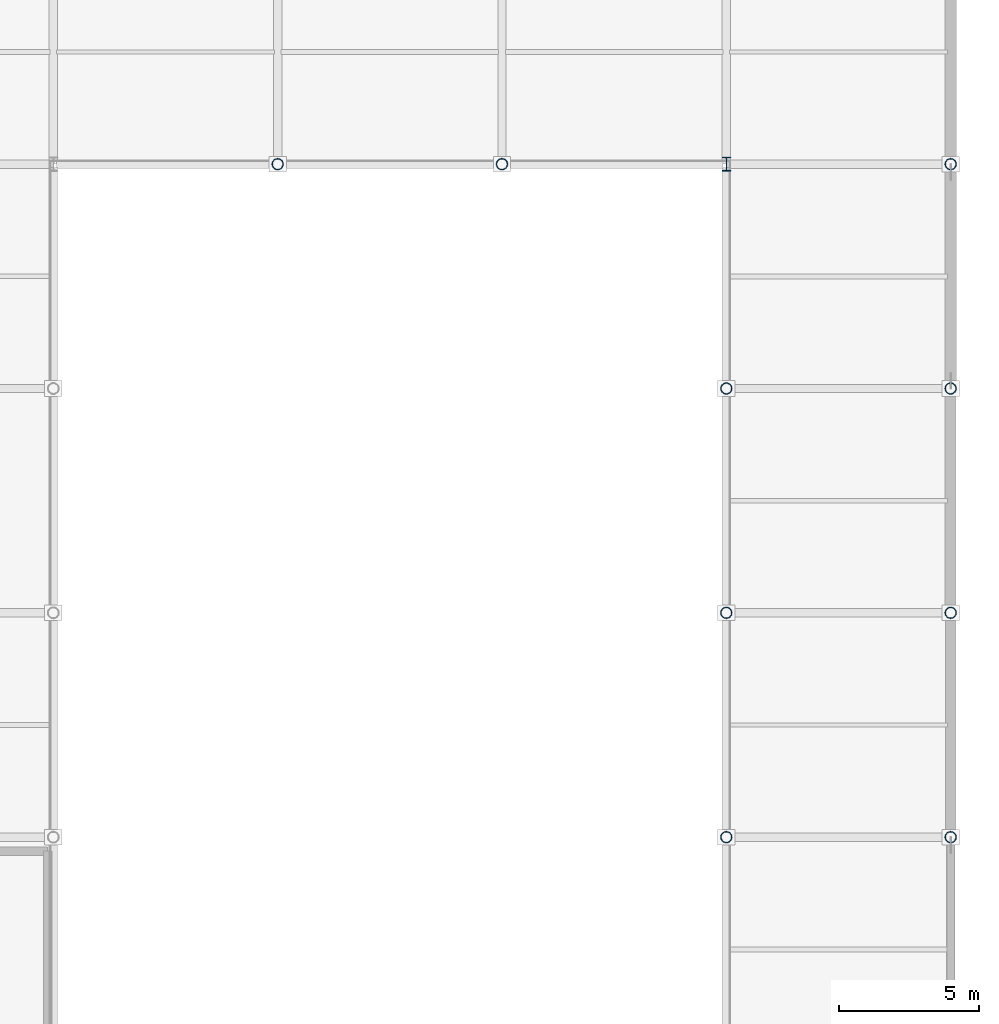
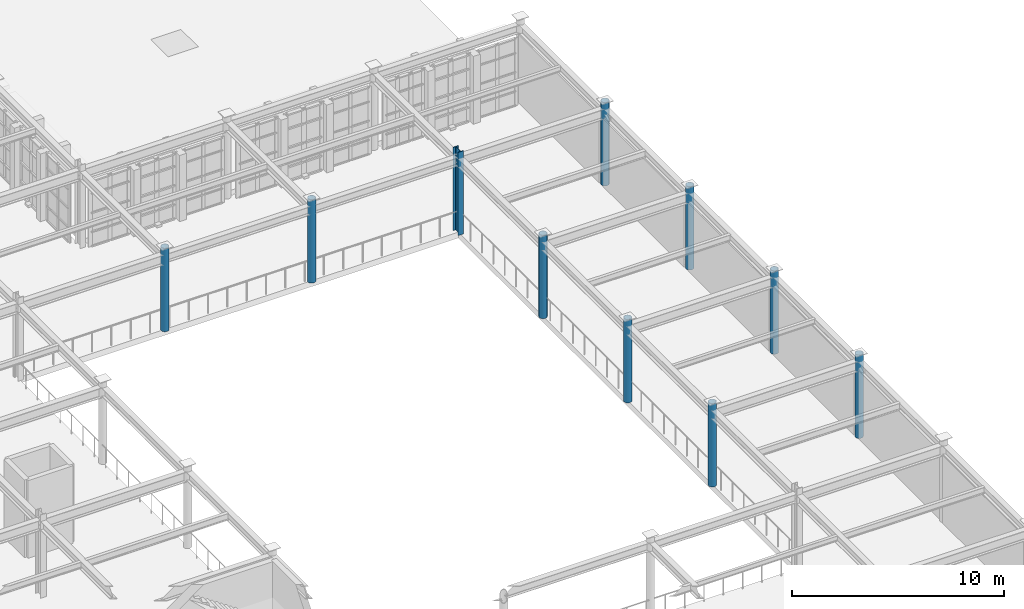
# One storey, part 5 of 155: 10 columns.
"""IFC4 building model written with IfcOpenShell, lengths in metres."""

from ifc_helpers import new_model, si_unit, direction, frame, origin, origin_2d, place, context, subcontext, project, spatial, hollow_circle, i_section, extrude, material, material_profile, profile_set, type_object, element, save


model = new_model("IFC4")

# Units and contexts
model_context = context("Model", 3, precision=1e-05, world=origin(), true_north=direction((0.0, 1.0)))
body_context = subcontext(model_context, "Body", "Model", "MODEL_VIEW")
ifc_project = project(units=[si_unit("LENGTHUNIT", "METRE"), si_unit("AREAUNIT", "SQUARE_METRE"), si_unit("VOLUMEUNIT", "CUBIC_METRE"), si_unit("PLANEANGLEUNIT", "RADIAN"), si_unit("MASSUNIT", "GRAM", prefix="KILO")], contexts=[model_context])

# Site, building, storey
site_placement = place(None, origin())
site = spatial("IfcSite", under=ifc_project, at=site_placement, CompositionType="ELEMENT")
building_placement = place(site_placement, origin())
building = spatial("IfcBuilding", under=site, at=building_placement, Name="Tazarka Park Arena", CompositionType="ELEMENT")
storey_placement = place(building_placement, frame((0.0, 0.0, 5.39990234375)))
storey = spatial("IfcBuildingStorey", under=building, at=storey_placement, Name="L01", CompositionType="ELEMENT", Elevation=5.39990234375)

# Columns
ifc_material_1 = material(Name="Steel S355", Category="steel")
ifc_material_profile_1 = material_profile(ifc_material_1, i_section(OverallWidth=0.300048828125, OverallDepth=0.5, WebThickness=0.014404296875, FlangeThickness=0.028076171875, FilletRadius=0.027099609375, at=origin_2d()), Name="Steel S355")
ifc_profile_set_1 = profile_set([ifc_material_profile_1], Name="Steel S355")
column_type_1 = type_object("IfcColumnType", Name="COL-SC-02", PredefinedType="COLUMN", material=ifc_profile_set_1)
column_placement = place(storey_placement, frame((176.0, 96.0, 0.0), z_axis=(0.0, 0.0, 1.0), x_axis=(1.0, 0.0, 0.0)))
element("IfcColumn", 1, at=column_placement, inside=storey, type_object=column_type_1, Name="CLM-L01-22-12", PredefinedType="COLUMN", context=body_context, shape_type="SweptSolid", body=[
    extrude(i_section(OverallWidth=0.300048828125, OverallDepth=0.5, WebThickness=0.014404296875, FlangeThickness=0.028076171875, FilletRadius=0.027099609375, at=origin_2d()), origin(), (0.0, 0.0, 1.0), 4.800048828125),
])
ifc_material_2 = material(Name="Steel S355", Category="steel")
ifc_material_profile_2 = material_profile(ifc_material_2, hollow_circle(Radius=0.203125, WallThickness=0.02001953125, at=origin_2d()), Name="Steel S355")
ifc_profile_set_2 = profile_set([ifc_material_profile_2], Name="Steel S355")
column_type_2 = type_object("IfcColumnType", Name="COL-SC-04", PredefinedType="COLUMN", material=ifc_profile_set_2)
for number, where, z_axis, x_axis, name in (
    (2, (160.0, 96.0, 0.0), (0.0, 0.0, 1.0), (1.0, 0.0, 0.0), "CLM-L01-20-12"),
    (3, (168.0, 96.0, 0.0), (0.0, 0.0, 1.0), (1.0, 0.0, 0.0), "CLM-L01-21-12"),
    (4, (176.0, 72.0, 0.0), (0.0, 0.0, 1.0), (1.0, 0.0, 0.0), "CLM-L01-22-09"),
    (5, (176.0, 80.0, 0.0), (0.0, 0.0, 1.0), (1.0, 0.0, 0.0), "CLM-L01-22-10"),
    (6, (176.0, 88.0, 0.0), (0.0, 0.0, 1.0), (1.0, 0.0, 0.0), "CLM-L01-22-11"),
    (7, (184.0, 72.0, 0.0), (0.0, 0.0, 1.0), (1.0, 0.0, 0.0), "CLM-L01-23-09"),
    (8, (184.0, 80.0, 0.0), (0.0, 0.0, 1.0), (1.0, 0.0, 0.0), "CLM-L01-23-10"),
    (9, (184.0, 88.0, 0.0), (0.0, 0.0, 1.0), (1.0, 0.0, 0.0), "CLM-L01-23-11"),
    (10, (184.0, 96.0, 0.0), (0.0, 0.0, 1.0), (1.0, 0.0, 0.0), "CLM-L01-23-12"),
):
    element("IfcColumn", number, at=place(storey_placement, frame(where, z_axis=z_axis, x_axis=x_axis)), inside=storey, type_object=column_type_2, Name=name, PredefinedType="COLUMN", context=body_context, shape_type="SweptSolid", body=[
        extrude(hollow_circle(Radius=0.203125, WallThickness=0.02001953125, at=origin_2d()), origin(), (0.0, 0.0, 1.0), 4.800048828125),
    ])

save(model, "model.ifc")
